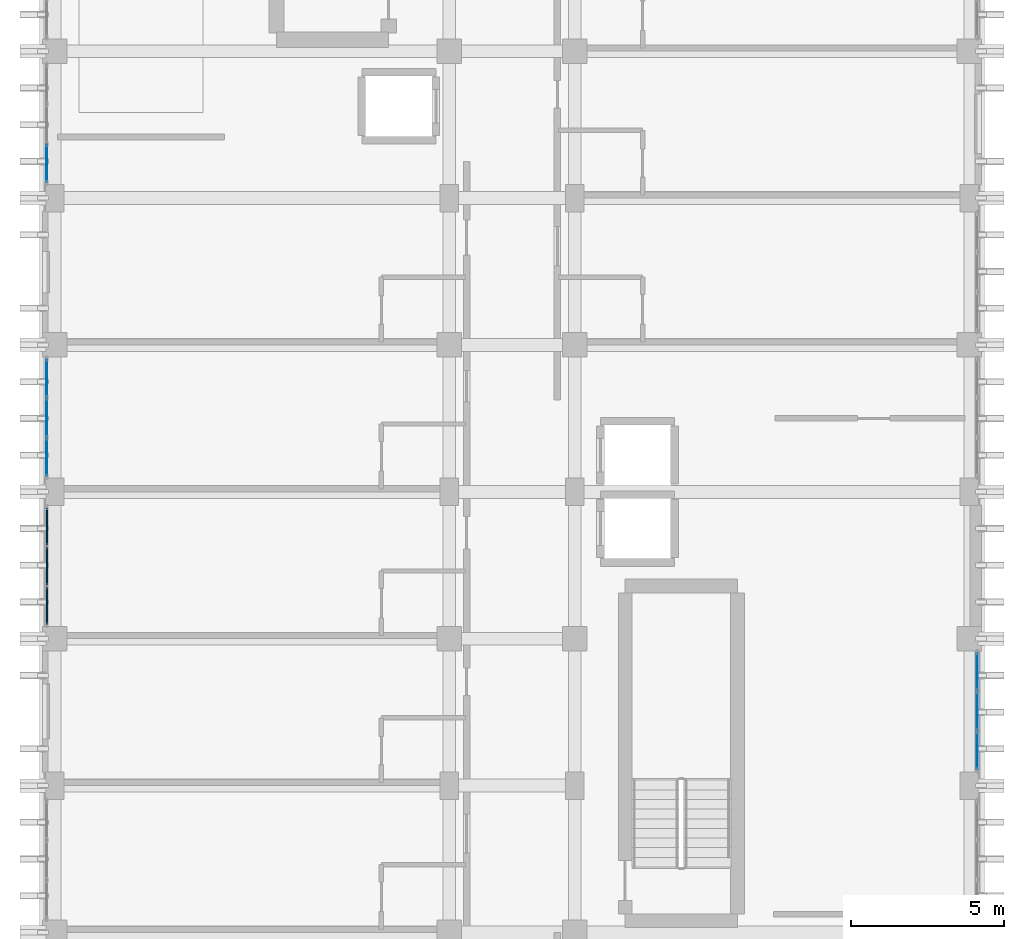
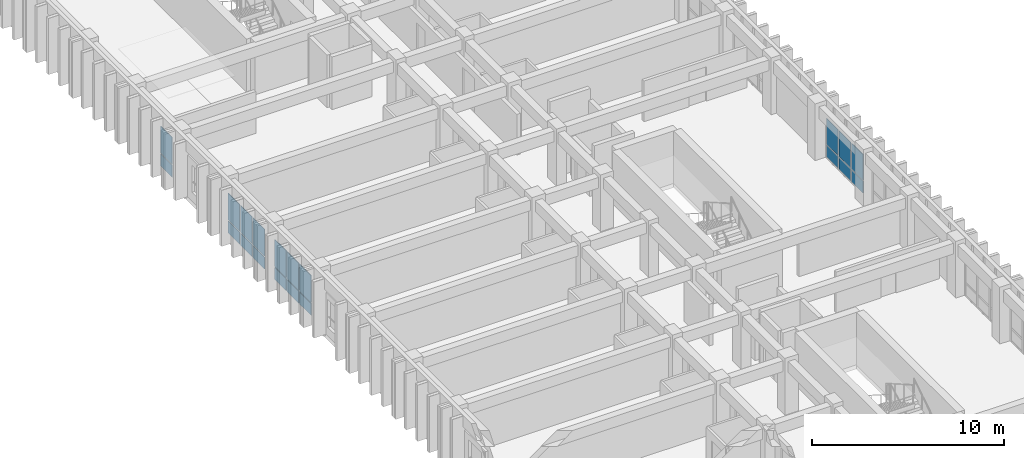
# One storey, part 59 of 82: 20 plates, 4 elements without a shape of their own.
"""IFC4 building model written with IfcOpenShell, lengths in metres."""

from ifc_helpers import new_model, si_unit, direction, frame, origin, origin_2d, place, context, subcontext, project, spatial, rectangle, extrude, material, layer, layer_set, type_object, element, aggregate, save


model = new_model("IFC4")

# Units and contexts
model_context = context("Model", 3, precision=1e-05, world=origin(), true_north=direction((0.0, 1.0)))
body_context = subcontext(model_context, "Body", "Model", "MODEL_VIEW")
ifc_project = project(units=[si_unit("LENGTHUNIT", "METRE"), si_unit("AREAUNIT", "SQUARE_METRE"), si_unit("VOLUMEUNIT", "CUBIC_METRE"), si_unit("PLANEANGLEUNIT", "RADIAN"), si_unit("MASSUNIT", "GRAM", prefix="KILO")], contexts=[model_context])

# Site, building, storey
site_placement = place(None, origin())
site = spatial("IfcSite", under=ifc_project, at=site_placement, CompositionType="ELEMENT")
building_placement = place(site_placement, origin())
building = spatial("IfcBuilding", under=site, at=building_placement, Name="Nakhvara Creek Congress Hotel", CompositionType="ELEMENT")
storey_placement = place(building_placement, frame((0.0, 0.0, 21.0)))
storey = spatial("IfcBuildingStorey", under=building, at=storey_placement, Name="L04", CompositionType="ELEMENT", Elevation=21.0)

# Curtain wall, plates
ifc_material_1 = material(Name="Bronze-anodised aluminium AW-6063-T6 and double-silver low-E glass", Category="aluminium")
ifc_layer = layer(ifc_material_1, 0.199951171875)
ifc_layer_set = layer_set([ifc_layer], Name="Bronze-anodised aluminium AW-6063-T6 and double-silver low-E glass")
curtain_wall_type = type_object("IfcCurtainWallType", Name="CW-HTL-UNIT", PredefinedType="USERDEFINED", material=ifc_layer_set)
curtain_wall_1_placement = place(storey_placement, origin())
curtain_wall_1 = element("IfcCurtainWall", 1, at=curtain_wall_1_placement, inside=storey, type_object=curtain_wall_type, Name="Curtain Wall CW182", ObjectType="UNITISED", PredefinedType="USERDEFINED")
ifc_material_2 = material(Name="Double-silver solar-control low-E insulated glass", Category="glass")
plate_type_1 = type_object("IfcPlateType", Name="PNL-GLZ-120X250", PredefinedType="CURTAIN_PANEL", material=ifc_material_2)
plate_1_placement = place(storey_placement, frame((179.60009765625, 56.515380859375, 0.06494140625), z_axis=(0.0, 0.0, 1.0), x_axis=(0.0, -1.0, 0.0)))
plate_1 = element("IfcPlate", 2, at=plate_1_placement, type_object=plate_type_1, Name="CW182 panel 1.1", PredefinedType="CURTAIN_PANEL", context=body_context, shape_type="SweptSolid", body=[
    extrude(rectangle(XDim=1.209228515625, YDim=0.028076171875, at=origin_2d()), origin(), (0.0, 0.0, 1.0), 0.75244140625),
])
plate_2_placement = place(storey_placement, frame((179.60009765625, 56.515380859375, 0.88232421875), z_axis=(0.0, 0.0, 1.0), x_axis=(0.0, -1.0, 0.0)))
plate_2 = element("IfcPlate", 3, at=plate_2_placement, type_object=plate_type_1, Name="CW182 panel 1.2", PredefinedType="CURTAIN_PANEL", context=body_context, shape_type="SweptSolid", body=[
    extrude(rectangle(XDim=1.209228515625, YDim=0.028076171875, at=origin_2d()), origin(), (0.0, 0.0, 1.0), 1.634521484375),
])
plate_3_placement = place(storey_placement, frame((179.60009765625, 55.22509765625, 0.06494140625), z_axis=(0.0, 0.0, 1.0), x_axis=(0.0, -1.0, 0.0)))
plate_3 = element("IfcPlate", 4, at=plate_3_placement, type_object=plate_type_1, Name="CW182 panel 2.1", PredefinedType="CURTAIN_PANEL", context=body_context, shape_type="SweptSolid", body=[
    extrude(rectangle(XDim=1.24169921875, YDim=0.028076171875, at=origin_2d()), origin(), (0.0, 0.0, 1.0), 0.75244140625),
])
plate_4_placement = place(storey_placement, frame((179.60009765625, 55.22509765625, 0.88232421875), z_axis=(0.0, 0.0, 1.0), x_axis=(0.0, -1.0, 0.0)))
plate_4 = element("IfcPlate", 5, at=plate_4_placement, type_object=plate_type_1, Name="CW182 panel 2.2", PredefinedType="CURTAIN_PANEL", context=body_context, shape_type="SweptSolid", body=[
    extrude(rectangle(XDim=1.24169921875, YDim=0.028076171875, at=origin_2d()), origin(), (0.0, 0.0, 1.0), 1.634521484375),
])
plate_5_placement = place(storey_placement, frame((179.60009765625, 53.9345703125, 0.06494140625), z_axis=(0.0, 0.0, 1.0), x_axis=(0.0, -1.0, 0.0)))
plate_5 = element("IfcPlate", 6, at=plate_5_placement, type_object=plate_type_1, Name="CW182 panel 3.1", PredefinedType="CURTAIN_PANEL", context=body_context, shape_type="SweptSolid", body=[
    extrude(rectangle(XDim=1.209228515625, YDim=0.028076171875, at=origin_2d()), origin(), (0.0, 0.0, 1.0), 0.75244140625),
])
plate_6_placement = place(storey_placement, frame((179.60009765625, 53.9345703125, 0.88232421875), z_axis=(0.0, 0.0, 1.0), x_axis=(0.0, -1.0, 0.0)))
plate_6 = element("IfcPlate", 7, at=plate_6_placement, type_object=plate_type_1, Name="CW182 panel 3.2", PredefinedType="CURTAIN_PANEL", context=body_context, shape_type="SweptSolid", body=[
    extrude(rectangle(XDim=1.209228515625, YDim=0.028076171875, at=origin_2d()), origin(), (0.0, 0.0, 1.0), 1.634521484375),
])
aggregate(curtain_wall_1, [plate_1, plate_2, plate_3, plate_4, plate_5, plate_6])

curtain_wall_2_placement = place(storey_placement, origin())
curtain_wall_2 = element("IfcCurtainWall", 8, at=curtain_wall_2_placement, inside=storey, type_object=curtain_wall_type, Name="Curtain Wall CW185", ObjectType="UNITISED", PredefinedType="USERDEFINED")
plate_7_placement = place(storey_placement, frame((149.199951171875, 63.53466796875, 0.06494140625), z_axis=(0.0, 0.0, 1.0), x_axis=(0.0, 1.0, 0.0)))
plate_7 = element("IfcPlate", 9, at=plate_7_placement, type_object=plate_type_1, Name="CW185 panel 1.1", PredefinedType="CURTAIN_PANEL", context=body_context, shape_type="SweptSolid", body=[
    extrude(rectangle(XDim=1.209228515625, YDim=0.028076171875, at=origin_2d()), origin(), (0.0, 0.0, 1.0), 0.75244140625),
])
plate_8_placement = place(storey_placement, frame((149.199951171875, 63.53466796875, 0.882568359375), z_axis=(0.0, 0.0, 1.0), x_axis=(0.0, 1.0, 0.0)))
plate_8 = element("IfcPlate", 10, at=plate_8_placement, type_object=plate_type_1, Name="CW185 panel 1.2", PredefinedType="CURTAIN_PANEL", context=body_context, shape_type="SweptSolid", body=[
    extrude(rectangle(XDim=1.209228515625, YDim=0.028076171875, at=origin_2d()), origin(), (0.0, 0.0, 1.0), 1.70458984375),
])
plate_9_placement = place(storey_placement, frame((149.199951171875, 64.824951171875, 0.06494140625), z_axis=(0.0, 0.0, 1.0), x_axis=(0.0, 1.0, 0.0)))
plate_9 = element("IfcPlate", 11, at=plate_9_placement, type_object=plate_type_1, Name="CW185 panel 2.1", PredefinedType="CURTAIN_PANEL", context=body_context, shape_type="SweptSolid", body=[
    extrude(rectangle(XDim=1.24169921875, YDim=0.028076171875, at=origin_2d()), origin(), (0.0, 0.0, 1.0), 0.75244140625),
])
plate_10_placement = place(storey_placement, frame((149.199951171875, 64.824951171875, 0.882568359375), z_axis=(0.0, 0.0, 1.0), x_axis=(0.0, 1.0, 0.0)))
plate_10 = element("IfcPlate", 12, at=plate_10_placement, type_object=plate_type_1, Name="CW185 panel 2.2", PredefinedType="CURTAIN_PANEL", context=body_context, shape_type="SweptSolid", body=[
    extrude(rectangle(XDim=1.24169921875, YDim=0.028076171875, at=origin_2d()), origin(), (0.0, 0.0, 1.0), 1.70458984375),
])
plate_11_placement = place(storey_placement, frame((149.199951171875, 66.115478515625, 0.06494140625), z_axis=(0.0, 0.0, 1.0), x_axis=(0.0, 1.0, 0.0)))
plate_11 = element("IfcPlate", 13, at=plate_11_placement, type_object=plate_type_1, Name="CW185 panel 3.1", PredefinedType="CURTAIN_PANEL", context=body_context, shape_type="SweptSolid", body=[
    extrude(rectangle(XDim=1.209228515625, YDim=0.028076171875, at=origin_2d()), origin(), (0.0, 0.0, 1.0), 0.75244140625),
])
plate_12_placement = place(storey_placement, frame((149.199951171875, 66.115478515625, 0.882568359375), z_axis=(0.0, 0.0, 1.0), x_axis=(0.0, 1.0, 0.0)))
plate_12 = element("IfcPlate", 14, at=plate_12_placement, type_object=plate_type_1, Name="CW185 panel 3.2", PredefinedType="CURTAIN_PANEL", context=body_context, shape_type="SweptSolid", body=[
    extrude(rectangle(XDim=1.209228515625, YDim=0.028076171875, at=origin_2d()), origin(), (0.0, 0.0, 1.0), 1.70458984375),
])
aggregate(curtain_wall_2, [plate_7, plate_8, plate_9, plate_10, plate_11, plate_12])

curtain_wall_3_placement = place(storey_placement, origin())
curtain_wall_3 = element("IfcCurtainWall", 15, at=curtain_wall_3_placement, inside=storey, type_object=curtain_wall_type, Name="Curtain Wall CW187", ObjectType="UNITISED", PredefinedType="USERDEFINED")
plate_13_placement = place(storey_placement, frame((149.199951171875, 73.134521484375, 0.06494140625), z_axis=(0.0, 0.0, 1.0), x_axis=(0.0, 1.0, 0.0)))
plate_13 = element("IfcPlate", 16, at=plate_13_placement, type_object=plate_type_1, Name="CW187 panel 1.1", PredefinedType="CURTAIN_PANEL", context=body_context, shape_type="SweptSolid", body=[
    extrude(rectangle(XDim=1.209228515625, YDim=0.028076171875, at=origin_2d()), origin(), (0.0, 0.0, 1.0), 0.75244140625),
])
plate_14_placement = place(storey_placement, frame((149.199951171875, 73.134521484375, 0.882568359375), z_axis=(0.0, 0.0, 1.0), x_axis=(0.0, 1.0, 0.0)))
plate_14 = element("IfcPlate", 17, at=plate_14_placement, type_object=plate_type_1, Name="CW187 panel 1.2", PredefinedType="CURTAIN_PANEL", context=body_context, shape_type="SweptSolid", body=[
    extrude(rectangle(XDim=1.209228515625, YDim=0.028076171875, at=origin_2d()), origin(), (0.0, 0.0, 1.0), 1.70458984375),
])
aggregate(curtain_wall_3, [plate_13, plate_14])

curtain_wall_4_placement = place(storey_placement, origin())
curtain_wall_4 = element("IfcCurtainWall", 18, at=curtain_wall_4_placement, inside=storey, type_object=curtain_wall_type, Name="Curtain Wall CW183", ObjectType="UNITISED", PredefinedType="USERDEFINED")
ifc_material_3 = material(Name="Back-insulated bronze spandrel glass panel", Category="glass")
plate_type_2 = type_object("IfcPlateType", Name="PNL-SPN-120X080", PredefinedType="CURTAIN_PANEL", material=ifc_material_3)
plate_15_placement = place(storey_placement, frame((149.199951171875, 58.6845703125, 0.06494140625), z_axis=(0.0, 0.0, 1.0), x_axis=(0.0, 1.0, 0.0)))
plate_15 = element("IfcPlate", 19, at=plate_15_placement, type_object=plate_type_2, Name="CW183 panel 1.1", PredefinedType="CURTAIN_PANEL", context=body_context, shape_type="SweptSolid", body=[
    extrude(rectangle(XDim=1.209228515625, YDim=0.0419921875, at=origin_2d()), origin(), (0.0, 0.0, 1.0), 0.75244140625),
])
plate_16_placement = place(storey_placement, frame((149.199951171875, 58.6845703125, 0.882568359375), z_axis=(0.0, 0.0, 1.0), x_axis=(0.0, 1.0, 0.0)))
plate_16 = element("IfcPlate", 20, at=plate_16_placement, type_object=plate_type_2, Name="CW183 panel 1.2", PredefinedType="CURTAIN_PANEL", context=body_context, shape_type="SweptSolid", body=[
    extrude(rectangle(XDim=1.209228515625, YDim=0.0419921875, at=origin_2d()), origin(), (0.0, 0.0, 1.0), 1.70458984375),
])
plate_17_placement = place(storey_placement, frame((149.199951171875, 59.97509765625, 0.06494140625), z_axis=(0.0, 0.0, 1.0), x_axis=(0.0, 1.0, 0.0)))
plate_17 = element("IfcPlate", 21, at=plate_17_placement, type_object=plate_type_2, Name="CW183 panel 2.1", PredefinedType="CURTAIN_PANEL", context=body_context, shape_type="SweptSolid", body=[
    extrude(rectangle(XDim=1.24169921875, YDim=0.0419921875, at=origin_2d()), origin(), (0.0, 0.0, 1.0), 0.75244140625),
])
plate_18_placement = place(storey_placement, frame((149.199951171875, 59.97509765625, 0.882568359375), z_axis=(0.0, 0.0, 1.0), x_axis=(0.0, 1.0, 0.0)))
plate_18 = element("IfcPlate", 22, at=plate_18_placement, type_object=plate_type_2, Name="CW183 panel 2.2", PredefinedType="CURTAIN_PANEL", context=body_context, shape_type="SweptSolid", body=[
    extrude(rectangle(XDim=1.24169921875, YDim=0.0419921875, at=origin_2d()), origin(), (0.0, 0.0, 1.0), 1.70458984375),
])
plate_19_placement = place(storey_placement, frame((149.199951171875, 61.265380859375, 0.06494140625), z_axis=(0.0, 0.0, 1.0), x_axis=(0.0, 1.0, 0.0)))
plate_19 = element("IfcPlate", 23, at=plate_19_placement, type_object=plate_type_2, Name="CW183 panel 3.1", PredefinedType="CURTAIN_PANEL", context=body_context, shape_type="SweptSolid", body=[
    extrude(rectangle(XDim=1.209228515625, YDim=0.0419921875, at=origin_2d()), origin(), (0.0, 0.0, 1.0), 0.75244140625),
])
plate_20_placement = place(storey_placement, frame((149.199951171875, 61.265380859375, 0.882568359375), z_axis=(0.0, 0.0, 1.0), x_axis=(0.0, 1.0, 0.0)))
plate_20 = element("IfcPlate", 24, at=plate_20_placement, type_object=plate_type_2, Name="CW183 panel 3.2", PredefinedType="CURTAIN_PANEL", context=body_context, shape_type="SweptSolid", body=[
    extrude(rectangle(XDim=1.209228515625, YDim=0.0419921875, at=origin_2d()), origin(), (0.0, 0.0, 1.0), 1.70458984375),
])
aggregate(curtain_wall_4, [plate_15, plate_16, plate_17, plate_18, plate_19, plate_20])

save(model, "model.ifc")
